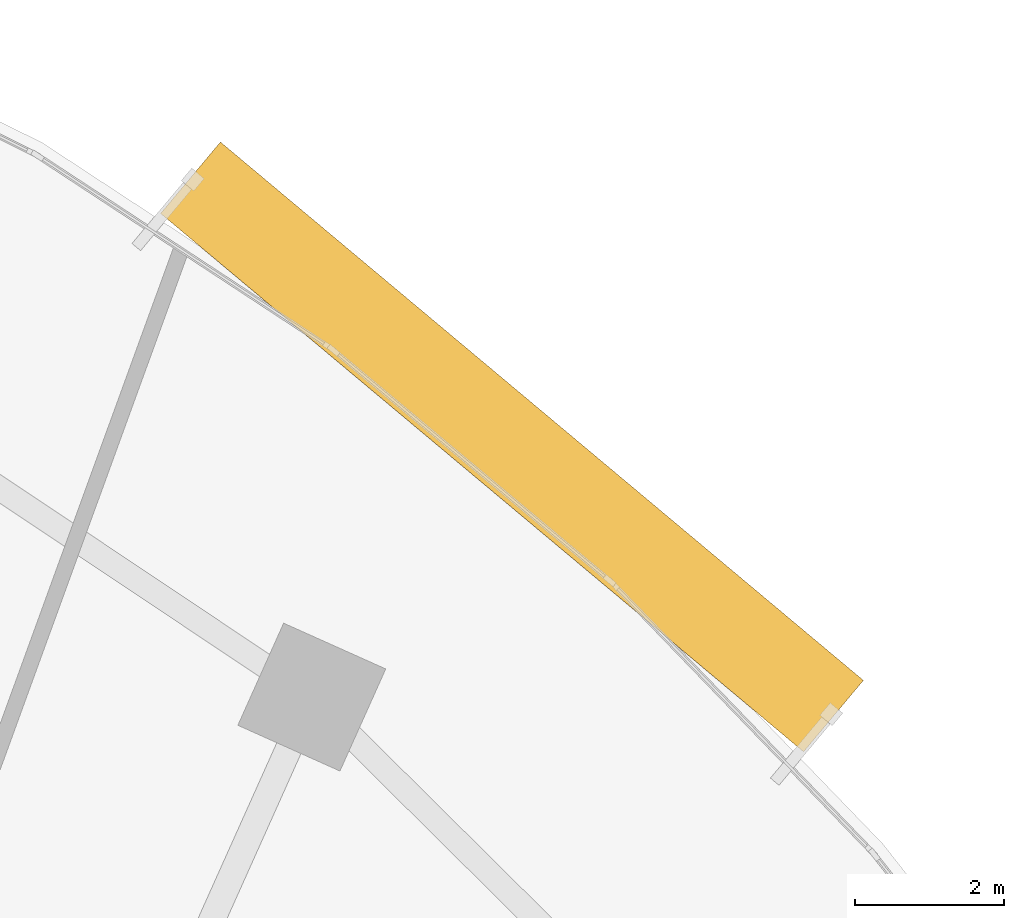
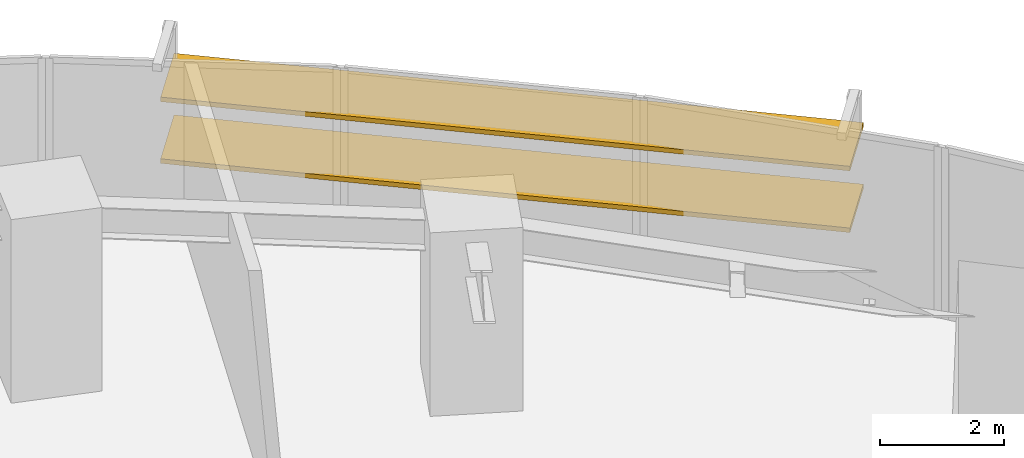
# One storey, part 17 of 17: 2 shading devices.
"""IFC4 building model written with IfcOpenShell, lengths in metres."""

from ifc_helpers import new_model, si_unit, direction, frame, origin, origin_2d, place, context, subcontext, project, spatial, rectangle, extrude, source, transform, mapped, material, material_profile, profile_set, type_object, element, save


model = new_model("IFC4")

# Units and contexts
model_context = context("Model", 3, precision=1e-05, world=origin(), true_north=direction((0.0, 1.0)))
body_context = subcontext(model_context, "Body", "Model", "MODEL_VIEW")
ifc_project = project(units=[si_unit("LENGTHUNIT", "METRE"), si_unit("AREAUNIT", "SQUARE_METRE"), si_unit("VOLUMEUNIT", "CUBIC_METRE"), si_unit("PLANEANGLEUNIT", "RADIAN"), si_unit("MASSUNIT", "GRAM", prefix="KILO")], contexts=[model_context])

# Site, building, storey
site_placement = place(None, origin())
site = spatial("IfcSite", under=ifc_project, at=site_placement, CompositionType="ELEMENT")
building_placement = place(site_placement, origin())
building = spatial("IfcBuilding", under=site, at=building_placement, Name="Breltana Convention Tower", CompositionType="ELEMENT")
storey_placement = place(building_placement, frame((0.0, 0.0, 71.39990234375)))
storey = spatial("IfcBuildingStorey", under=building, at=storey_placement, Name="L16", CompositionType="ELEMENT", Elevation=71.39990234375)

# Shading devices
ifc_material = material(Name="Limestone Warm Buff Honed", Category="masonry")
ifc_material_profile = material_profile(ifc_material, rectangle(XDim=1.25, YDim=0.090087890625, at=origin_2d()), Name="STN-LVR-1250X90")
ifc_profile_set = profile_set([ifc_material_profile], Name="Limestone Warm Buff Honed")
shading_device_type = type_object("IfcShadingDeviceType", Name="SHD-OUTER-SKIN-LIMESTONE-1250", PredefinedType="JALOUSIE", material=ifc_profile_set)
shared_shape = source(origin(), body_context, "Body", "SweptSolid", [
    extrude(rectangle(XDim=1.25, YDim=0.090087890625, at=origin_2d()), origin(), (0.0, 0.0, 1.0), 11.246337890625),
])
for number, where, z_axis, x_axis, name in (
    (1, (67.28369140625, 75.598388671875, 1.209716796875), (0.766719155588, -0.641982660556, 0.0), (0.641982660556, 0.766719155588, 0.0), "L16 outer skin warm limestone louvre 2.1"),
    (2, (67.28369140625, 75.598388671875, 2.419189453125), (0.766719155588, -0.641982660556, 0.0), (0.641982660556, 0.766719155588, 0.0), "L16 outer skin warm limestone louvre 2.2"),
):
    element("IfcShadingDevice", number, at=place(storey_placement, frame(where, z_axis=z_axis, x_axis=x_axis)), inside=storey, type_object=shading_device_type, Name=name, PredefinedType="JALOUSIE", context=body_context, shape_type="MappedRepresentation", body=[
        mapped(shared_shape, transform((0.0, 0.0, 0.0), scale=1.0)),
    ])

save(model, "model.ifc")
